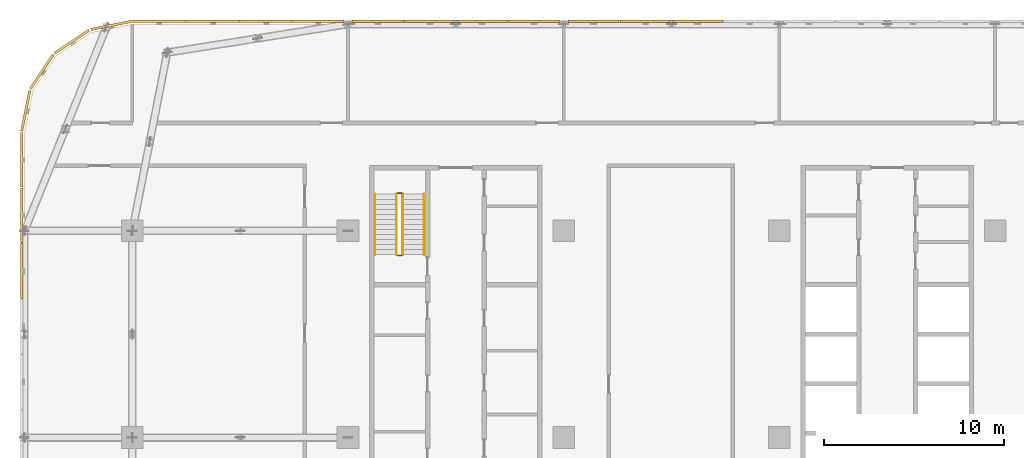
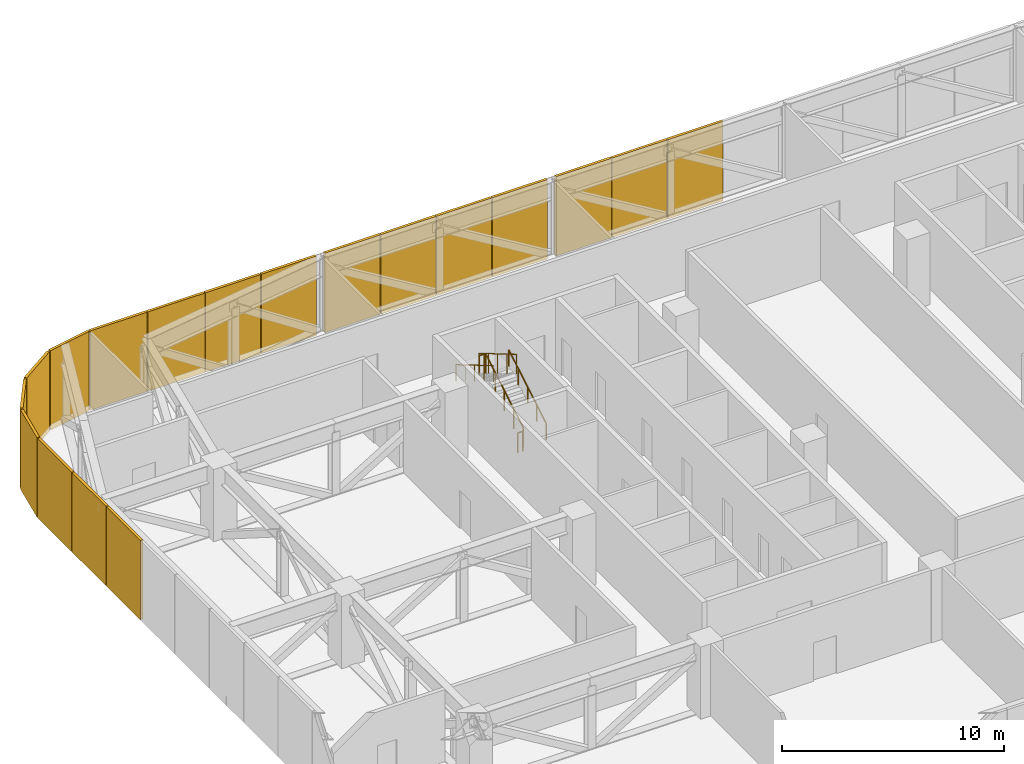
# One storey, part 23 of 26: 18 coverings, 6 railings.
"""IFC4 building model written with IfcOpenShell, lengths in metres."""

from ifc_helpers import new_model, si_unit, direction, frame, origin, origin_2d, place, context, subcontext, project, spatial, rectangle, circle, extrude, material, type_object, element, save


model = new_model("IFC4")

# Units and contexts
model_context = context("Model", 3, precision=1e-05, world=origin(), true_north=direction((0.0, 1.0)))
body_context = subcontext(model_context, "Body", "Model", "MODEL_VIEW")
ifc_project = project(units=[si_unit("LENGTHUNIT", "METRE"), si_unit("AREAUNIT", "SQUARE_METRE"), si_unit("VOLUMEUNIT", "CUBIC_METRE"), si_unit("PLANEANGLEUNIT", "RADIAN"), si_unit("MASSUNIT", "GRAM", prefix="KILO")], contexts=[model_context])

# Site, building, storey
site_placement = place(None, origin())
site = spatial("IfcSite", under=ifc_project, at=site_placement, CompositionType="ELEMENT")
building_placement = place(site_placement, origin())
building = spatial("IfcBuilding", under=site, at=building_placement, Name="Mahtab Terrace Research Tower", CompositionType="ELEMENT")
storey_placement = place(building_placement, frame((0.0, 0.0, 189.60009765625)))
storey = spatial("IfcBuildingStorey", under=building, at=storey_placement, Name="L45", CompositionType="ELEMENT", Elevation=189.60009765625)

# Coverings
ifc_material_1 = material(Name="Natural anodised aluminium", Category="aluminium")
covering_type = type_object("IfcCoveringType", Name="Plant storey louvre bay", PredefinedType="CLADDING", material=ifc_material_1)
for number, where, z_axis, x_axis, name in (
    (1, (-10.552001953125, 23.159912109375, -0.400390625), (0.0, 0.0, 1.0), (-1.0, 0.0, 0.0), "Louvre bay L45 42"),
    (2, (-13.447998046875, 23.159912109375, -0.400390625), (0.0, 0.0, 1.0), (-1.0, 0.0, 0.0), "Louvre bay L45 43"),
    (3, (-16.343994140625, 23.159912109375, -0.400390625), (0.0, 0.0, 1.0), (-1.0, 0.0, 0.0), "Louvre bay L45 44"),
    (4, (-19.656005859375, 23.159912109375, -0.400390625), (0.0, 0.0, 1.0), (-1.0, 0.0, 0.0), "Louvre bay L45 45"),
    (5, (-22.552001953125, 23.159912109375, -0.400390625), (0.0, 0.0, 1.0), (-1.0, 0.0, 0.0), "Louvre bay L45 46"),
    (6, (-25.447998046875, 23.159912109375, -0.400390625), (0.0, 0.0, 1.0), (-1.0, 0.0, 0.0), "Louvre bay L45 47"),
    (7, (-28.343994140625, 23.159912109375, -0.400390625), (0.0, 0.0, 1.0), (-1.0, 0.0, 0.0), "Louvre bay L45 48"),
    (8, (-31.656005859375, 23.159912109375, -0.400390625), (0.0, 0.0, 1.0), (-1.0, 0.0, 0.0), "Louvre bay L45 49"),
    (9, (-34.552001953125, 23.159912109375, -0.400390625), (0.0, 0.0, 1.0), (-1.0, 0.0, 0.0), "Louvre bay L45 50"),
):
    element("IfcCovering", number, at=place(storey_placement, frame(where, z_axis=z_axis, x_axis=x_axis)), inside=storey, type_object=covering_type, Name=name, PredefinedType="CLADDING", context=body_context, shape_type="SweptSolid", body=[
        extrude(rectangle(XDim=2.85595703125, YDim=0.139892578125, at=origin_2d()), origin(), (0.0, 0.0, 1.0), 4.360107421875),
    ])
for number, where, z_axis, x_axis, name in (
    (10, (-37.5, 23.159912109375, -0.400390625), (0.0, 0.0, 1.0), (-1.0, 0.0, 0.0), "Louvre bay L45 51"),
    (11, (-40.5, 23.159912109375, -0.400390625), (0.0, 0.0, 1.0), (-1.0, 0.0, 0.0), "Louvre bay L45 52"),
):
    element("IfcCovering", number, at=place(storey_placement, frame(where, z_axis=z_axis, x_axis=x_axis)), inside=storey, type_object=covering_type, Name=name, PredefinedType="CLADDING", context=body_context, shape_type="SweptSolid", body=[
        extrude(rectangle(XDim=2.9599609375, YDim=0.139892578125, at=origin_2d()), origin(), (0.0, 0.0, 1.0), 4.360107421875),
    ])
for number, where, z_axis, x_axis, name in (
    (12, (-43.17919921875, 22.928466796875, -0.400390625), (0.0, 0.0, 1.0), (-0.980760981187, -0.195212442692, 0.0), "Louvre bay L45 53"),
    (13, (-45.3583984375, 22.026123046875, -0.400390625), (0.0, 0.0, 1.0), (-0.831655794326, -0.555291490808, 0.0), "Louvre bay L45 54"),
    (14, (-47.026123046875, 20.3583984375, -0.400390625), (0.0, 0.0, 1.0), (-0.555291490808, -0.831655794326, 0.0), "Louvre bay L45 55"),
    (15, (-47.928466796875, 18.17919921875, -0.400390625), (0.0, 0.0, 1.0), (-0.195212442692, -0.980760981187, 0.0), "Louvre bay L45 56"),
):
    element("IfcCovering", number, at=place(storey_placement, frame(where, z_axis=z_axis, x_axis=x_axis)), inside=storey, type_object=covering_type, Name=name, PredefinedType="CLADDING", context=body_context, shape_type="SweptSolid", body=[
        extrude(rectangle(XDim=2.301025390625, YDim=0.139892578125, at=origin_2d()), origin(), (0.0, 0.0, 1.0), 4.360107421875),
    ])
for number, where, z_axis, x_axis, name in (
    (16, (-48.159912109375, 15.45458984375, -0.400390625), (0.0, 0.0, 1.0), (0.0, -1.0, 0.0), "Louvre bay L45 57"),
    (17, (-48.159912109375, 12.363525390625, -0.400390625), (0.0, 0.0, 1.0), (0.0, -1.0, 0.0), "Louvre bay L45 58"),
    (18, (-48.159912109375, 9.272705078125, -0.400390625), (0.0, 0.0, 1.0), (0.0, -1.0, 0.0), "Louvre bay L45 59"),
):
    element("IfcCovering", number, at=place(storey_placement, frame(where, z_axis=z_axis, x_axis=x_axis)), inside=storey, type_object=covering_type, Name=name, PredefinedType="CLADDING", context=body_context, shape_type="SweptSolid", body=[
        extrude(rectangle(XDim=3.051025390625, YDim=0.139892578125, at=origin_2d()), origin(), (0.0, 0.0, 1.0), 4.360107421875),
    ])

# Railings
ifc_material_2 = material(Name="Stainless steel AISI 304", Category="steel")
railing_type_1 = type_object("IfcRailingType", Name="Stair guard 1100", PredefinedType="GUARDRAIL", material=ifc_material_2)
railing_1_placement = place(storey_placement, frame((-26.949951171875, 10.175048828125, 0.165283203125)))
element("IfcRailing", 19, at=railing_1_placement, inside=storey, type_object=railing_type_1, Name="L45 ST1 stair guard 1", PredefinedType="GUARDRAIL", context=body_context, shape_type="SweptSolid", body=[
    extrude(circle(Radius=0.02392578125, at=origin_2d()), frame((0.0, 0.0, 1.076171875), z_axis=(0.0, 0.861011212953, 0.508585972249), x_axis=(-1.0, 0.0, 0.0)), (0.0, 0.0, 1.0), 3.90234375),
    extrude(circle(Radius=0.02099609375, at=origin_2d()), origin(), (0.0, 0.0, 1.0), 1.052001953125),
    extrude(circle(Radius=0.02099609375, at=origin_2d()), frame((0.0, 0.83984375, 0.49609375)), (0.0, 0.0, 1.0), 1.052001953125),
    extrude(circle(Radius=0.02099609375, at=origin_2d()), frame((0.0, 1.679931640625, 0.9921875)), (0.0, 0.0, 1.0), 1.052001953125),
    extrude(circle(Radius=0.02099609375, at=origin_2d()), frame((0.0, 2.52001953125, 1.488525390625)), (0.0, 0.0, 1.0), 1.052001953125),
    extrude(circle(Radius=0.02099609375, at=origin_2d()), frame((0.0, 3.35986328125, 1.984619140625)), (0.0, 0.0, 1.0), 1.052001953125),
])
railing_2_placement = place(storey_placement, frame((-27.0, 13.5849609375, 2.14990234375)))
element("IfcRailing", 20, at=railing_2_placement, inside=storey, type_object=railing_type_1, Name="L45 ST1 stair guard 2", PredefinedType="GUARDRAIL", context=body_context, shape_type="SweptSolid", body=[
    extrude(circle(Radius=0.02392578125, at=origin_2d()), frame((0.0, 0.0, 1.076171875), z_axis=(-1.0, 0.0, 0.0), x_axis=(0.0, -1.0, 0.0)), (0.0, 0.0, 1.0), 0.25),
    extrude(circle(Radius=0.02099609375, at=origin_2d()), origin(), (0.0, 0.0, 1.0), 1.052001953125),
    extrude(circle(Radius=0.02099609375, at=origin_2d()), frame((-0.25, 0.0, 0.0)), (0.0, 0.0, 1.0), 1.052001953125),
])
railing_3_placement = place(storey_placement, frame((-27.300048828125, 13.534912109375, 2.315185546875)))
element("IfcRailing", 21, at=railing_3_placement, inside=storey, type_object=railing_type_1, Name="L45 ST1 stair guard 3", PredefinedType="GUARDRAIL", context=body_context, shape_type="SweptSolid", body=[
    extrude(circle(Radius=0.02392578125, at=origin_2d()), frame((0.0, 0.0, 1.076171875), z_axis=(0.0, -0.861011212953, 0.508585972249), x_axis=(1.0, 0.0, 0.0)), (0.0, 0.0, 1.0), 3.90234375),
    extrude(circle(Radius=0.02099609375, at=origin_2d()), origin(), (0.0, 0.0, 1.0), 1.052001953125),
    extrude(circle(Radius=0.02099609375, at=origin_2d()), frame((0.0, -0.83984375, 0.49609375)), (0.0, 0.0, 1.0), 1.052001953125),
    extrude(circle(Radius=0.02099609375, at=origin_2d()), frame((0.0, -1.679931640625, 0.9921875)), (0.0, 0.0, 1.0), 1.052001953125),
    extrude(circle(Radius=0.02099609375, at=origin_2d()), frame((0.0, -2.52001953125, 1.488525390625)), (0.0, 0.0, 1.0), 1.052001953125),
    extrude(circle(Radius=0.02099609375, at=origin_2d()), frame((0.0, -3.35986328125, 1.984619140625)), (0.0, 0.0, 1.0), 1.052001953125),
])
railing_4_placement = place(storey_placement, frame((-27.0, 10.125, 0.0)))
element("IfcRailing", 22, at=railing_4_placement, inside=storey, type_object=railing_type_1, Name="L45 ST1 stair guard 4", PredefinedType="GUARDRAIL", context=body_context, shape_type="SweptSolid", body=[
    extrude(circle(Radius=0.02392578125, at=origin_2d()), frame((0.0, 0.0, 1.076171875), z_axis=(-1.0, 0.0, 0.0), x_axis=(0.0, -1.0, 0.0)), (0.0, 0.0, 1.0), 0.25),
    extrude(circle(Radius=0.02099609375, at=origin_2d()), origin(), (0.0, 0.0, 1.0), 1.052001953125),
    extrude(circle(Radius=0.02099609375, at=origin_2d()), frame((-0.25, 0.0, 0.0)), (0.0, 0.0, 1.0), 1.052001953125),
])
railing_type_2 = type_object("IfcRailingType", Name="Stair handrail 900", PredefinedType="HANDRAIL", material=ifc_material_2)
railing_5_placement = place(storey_placement, frame((-25.75, 10.175048828125, 0.165283203125)))
element("IfcRailing", 23, at=railing_5_placement, inside=storey, type_object=railing_type_2, Name="L45 ST1 stair handrail 1", PredefinedType="HANDRAIL", context=body_context, shape_type="SweptSolid", body=[
    extrude(circle(Radius=0.02392578125, at=origin_2d()), frame((0.0, 0.0, 0.8759765625), z_axis=(0.0, 0.861011212953, 0.508585972249), x_axis=(-1.0, 0.0, 0.0)), (0.0, 0.0, 1.0), 3.90234375),
    extrude(circle(Radius=0.02099609375, at=origin_2d()), origin(), (0.0, 0.0, 1.0), 0.851806640625),
    extrude(circle(Radius=0.02099609375, at=origin_2d()), frame((0.0, 0.83984375, 0.49609375)), (0.0, 0.0, 1.0), 0.851806640625),
    extrude(circle(Radius=0.02099609375, at=origin_2d()), frame((0.0, 1.679931640625, 0.9921875)), (0.0, 0.0, 1.0), 0.851806640625),
    extrude(circle(Radius=0.02099609375, at=origin_2d()), frame((0.0, 2.52001953125, 1.488525390625)), (0.0, 0.0, 1.0), 0.851806640625),
    extrude(circle(Radius=0.02099609375, at=origin_2d()), frame((0.0, 3.35986328125, 1.984619140625)), (0.0, 0.0, 1.0), 0.851806640625),
])
railing_6_placement = place(storey_placement, frame((-28.5, 13.534912109375, 2.315185546875)))
element("IfcRailing", 24, at=railing_6_placement, inside=storey, type_object=railing_type_2, Name="L45 ST1 stair handrail 2", PredefinedType="HANDRAIL", context=body_context, shape_type="SweptSolid", body=[
    extrude(circle(Radius=0.02392578125, at=origin_2d()), frame((0.0, 0.0, 0.8759765625), z_axis=(0.0, -0.861011212953, 0.508585972249), x_axis=(1.0, 0.0, 0.0)), (0.0, 0.0, 1.0), 3.90234375),
    extrude(circle(Radius=0.02099609375, at=origin_2d()), origin(), (0.0, 0.0, 1.0), 0.851806640625),
    extrude(circle(Radius=0.02099609375, at=origin_2d()), frame((0.0, -0.83984375, 0.49609375)), (0.0, 0.0, 1.0), 0.851806640625),
    extrude(circle(Radius=0.02099609375, at=origin_2d()), frame((0.0, -1.679931640625, 0.9921875)), (0.0, 0.0, 1.0), 0.851806640625),
    extrude(circle(Radius=0.02099609375, at=origin_2d()), frame((0.0, -2.52001953125, 1.488525390625)), (0.0, 0.0, 1.0), 0.851806640625),
    extrude(circle(Radius=0.02099609375, at=origin_2d()), frame((0.0, -3.35986328125, 1.984619140625)), (0.0, 0.0, 1.0), 0.851806640625),
])

save(model, "model.ifc")
